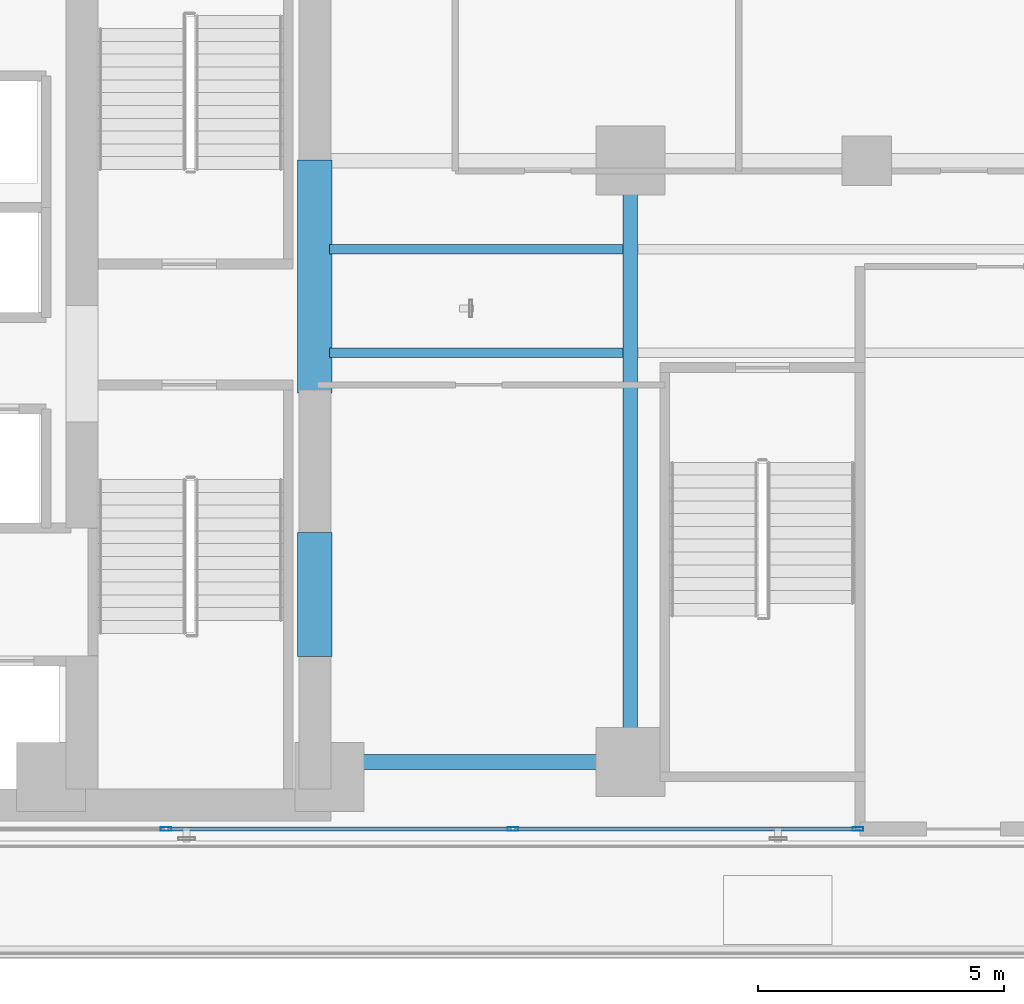
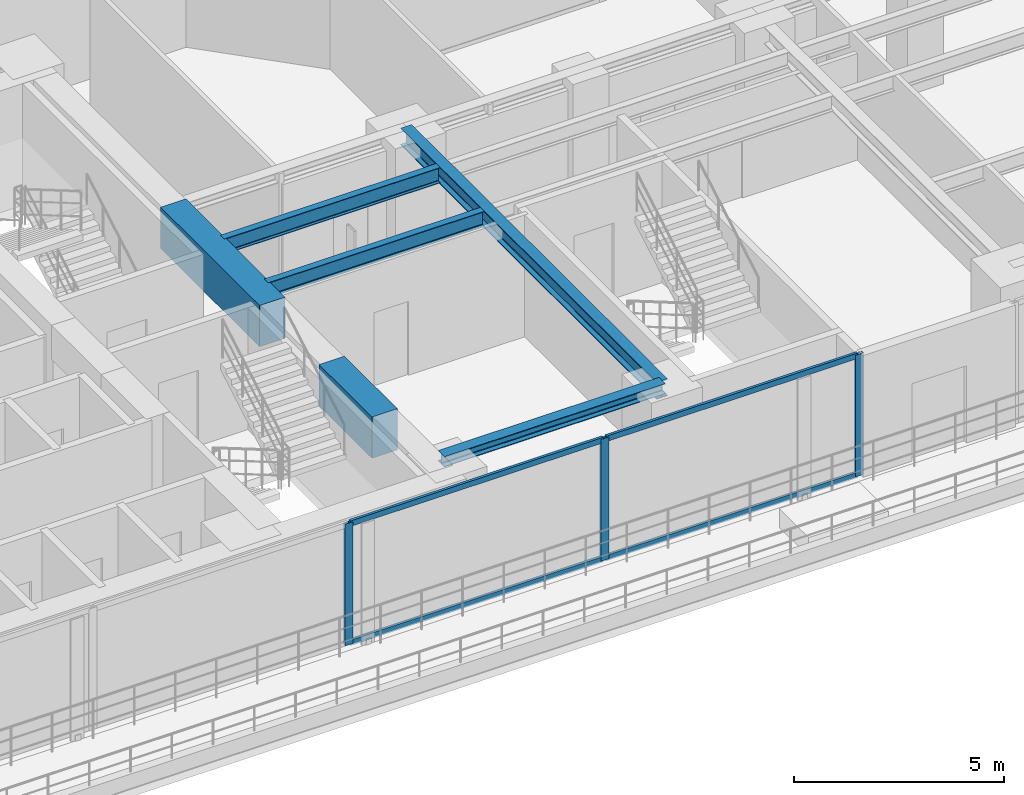
# One storey, part 4 of 26: 7 members, 6 beams, 1 element without a shape of its own.
"""IFC4 building model written with IfcOpenShell, lengths in metres."""

from ifc_helpers import new_model, si_unit, direction, frame, origin, origin_with_axes, origin_2d, place, context, subcontext, project, spatial, rectangle, hollow_rectangle, i_section, extrude, source, transform, mapped, material, layer, layer_set, material_profile, profile_set, type_object, element, aggregate, save


model = new_model("IFC4")

# Units and contexts
model_context = context("Model", 3, precision=1e-05, world=origin(), true_north=direction((0.0, 1.0)))
body_context = subcontext(model_context, "Body", "Model", "MODEL_VIEW")
ifc_project = project(units=[si_unit("LENGTHUNIT", "METRE"), si_unit("AREAUNIT", "SQUARE_METRE"), si_unit("VOLUMEUNIT", "CUBIC_METRE"), si_unit("PLANEANGLEUNIT", "RADIAN"), si_unit("MASSUNIT", "GRAM", prefix="KILO")], contexts=[model_context])

# Site, building, storey
site_placement = place(None, origin())
site = spatial("IfcSite", under=ifc_project, at=site_placement, CompositionType="ELEMENT")
building_placement = place(site_placement, origin())
building = spatial("IfcBuilding", under=site, at=building_placement, Name="Kolvaren Waterfront Exchange", CompositionType="ELEMENT")
storey_placement = place(building_placement, frame((0.0, 0.0, 87.89990234375)))
storey = spatial("IfcBuildingStorey", under=building, at=storey_placement, Name="L22", CompositionType="ELEMENT", Elevation=87.89990234375)

# Beams
ifc_material_1 = material(Name="Steel S355", Category="steel")
ifc_material_profile_1 = material_profile(ifc_material_1, i_section(OverallWidth=0.300048828125, OverallDepth=0.300048828125, WebThickness=0.010986328125, FlangeThickness=0.01904296875, FilletRadius=0.027099609375, at=origin_2d()), Name="HEB300")
ifc_profile_set_1 = profile_set([ifc_material_profile_1], Name="Steel S355")
beam_type_1 = type_object("IfcBeamType", Name="STR-BM-HEB300", PredefinedType="SPANDREL", material=ifc_profile_set_1)
beam_1_placement = place(storey_placement, frame((21.125, 5.199951171875, 3.39013671875), z_axis=(1.0, 0.0, 0.0), x_axis=(0.0, 1.0, 0.0)))
element("IfcBeam", 1, at=beam_1_placement, inside=storey, type_object=beam_type_1, Name="L22 east-arm spandrel S1", PredefinedType="SPANDREL", context=body_context, shape_type="SweptSolid", body=[
    extrude(i_section(OverallWidth=0.300048828125, OverallDepth=0.300048828125, WebThickness=0.010986328125, FlangeThickness=0.01904296875, FilletRadius=0.027099609375, at=origin_2d()), origin(), (0.0, 0.0, 1.0), 6.074951171875),
])
ifc_material_profile_2 = material_profile(ifc_material_1, i_section(OverallWidth=0.300048828125, OverallDepth=0.5, WebThickness=0.014404296875, FlangeThickness=0.028076171875, FilletRadius=0.027099609375, at=origin_2d()), Name="HEB500")
ifc_profile_set_2 = profile_set([ifc_material_profile_2], Name="Steel S355")
beam_type_2 = type_object("IfcBeamType", Name="STR-BM-HEB500", PredefinedType="BEAM", material=ifc_profile_set_2)
beam_2_placement = place(storey_placement, frame((27.199951171875, 5.199951171875, 3.2900390625), z_axis=(0.0, 1.0, 0.0), x_axis=(-1.0, 0.0, 0.0)))
element("IfcBeam", 2, at=beam_2_placement, inside=storey, type_object=beam_type_2, Name="L22 east-arm transverse girder X27", PredefinedType="BEAM", context=body_context, shape_type="SweptSolid", body=[
    extrude(i_section(OverallWidth=0.300048828125, OverallDepth=0.5, WebThickness=0.014404296875, FlangeThickness=0.028076171875, FilletRadius=0.027099609375, at=origin_2d()), origin(), (0.0, 0.0, 1.0), 12.199951171875),
])
ifc_material_profile_3 = material_profile(ifc_material_1, i_section(OverallWidth=0.18994140625, OverallDepth=0.449951171875, WebThickness=0.009521484375, FlangeThickness=0.0146484375, FilletRadius=0.02099609375, at=origin_2d()), Name="IPE450")
ifc_profile_set_3 = profile_set([ifc_material_profile_3], Name="Steel S355")
beam_type_3 = type_object("IfcBeamType", Name="STR-BM-IPE450", PredefinedType="JOIST", material=ifc_profile_set_3)
for number, where, z_axis, x_axis, name in (
    (3, (21.10009765625, 13.5, 3.315185546875), (1.0, 0.0, 0.0), (0.0, 1.0, 0.0), "L22 east-arm composite joist 1A"),
    (4, (21.10009765625, 15.60009765625, 3.315185546875), (1.0, 0.0, 0.0), (0.0, 1.0, 0.0), "L22 east-arm composite joist 1C"),
):
    element("IfcBeam", number, at=place(storey_placement, frame(where, z_axis=z_axis, x_axis=x_axis)), inside=storey, type_object=beam_type_3, Name=name, PredefinedType="JOIST", context=body_context, shape_type="SweptSolid", body=[
        extrude(i_section(OverallWidth=0.18994140625, OverallDepth=0.449951171875, WebThickness=0.009521484375, FlangeThickness=0.0146484375, FilletRadius=0.02099609375, at=origin_2d()), origin(), (0.0, 0.0, 1.0), 5.947998046875),
    ])
ifc_material_2 = material(Name="Concrete C70/85", Category="concrete")
ifc_material_profile_4 = material_profile(ifc_material_2, rectangle(XDim=0.699951171875, YDim=1.199951171875, at=origin_2d()), Name="RC-CB-1200x700")
ifc_profile_set_4 = profile_set([ifc_material_profile_4], Name="Concrete C70/85")
beam_type_4 = type_object("IfcBeamType", Name="STR-CB-1200", PredefinedType="SPANDREL", material=ifc_profile_set_4)
beam_3_placement = place(storey_placement, frame((20.800048828125, 7.340087890625, 2.940185546875), z_axis=(0.0, 1.0, 0.0), x_axis=(-1.0, 0.0, 0.0)))
element("IfcBeam", 5, at=beam_3_placement, inside=storey, type_object=beam_type_4, Name="L22 core coupling beam 1", PredefinedType="SPANDREL", context=body_context, shape_type="SweptSolid", body=[
    extrude(rectangle(XDim=0.699951171875, YDim=1.199951171875, at=origin_2d()), origin(), (0.0, 0.0, 1.0), 2.52001953125),
])
beam_4_placement = place(storey_placement, frame((20.800048828125, 12.68994140625, 2.940185546875), z_axis=(0.0, 1.0, 0.0), x_axis=(-1.0, 0.0, 0.0)))
element("IfcBeam", 6, at=beam_4_placement, inside=storey, type_object=beam_type_4, Name="L22 core coupling beam 2", PredefinedType="SPANDREL", context=body_context, shape_type="SweptSolid", body=[
    extrude(rectangle(XDim=0.699951171875, YDim=1.199951171875, at=origin_2d()), origin(), (0.0, 0.0, 1.0), 4.719970703125),
])

# Curtain wall, members
ifc_material_3 = material(Name="Anodised bronze aluminium 6063-T6", Category="aluminium")
ifc_layer = layer(ifc_material_3, 0.219970703125, Name="Anodised bronze aluminium 6063-T6")
ifc_layer_set = layer_set([ifc_layer], Name="Anodised bronze aluminium 6063-T6")
curtain_wall_type = type_object("IfcCurtainWallType", Name="ARC-CW-SYS1", PredefinedType="USERDEFINED", material=ifc_layer_set)
curtain_wall_placement = place(storey_placement, origin())
curtain_wall = element("IfcCurtainWall", 7, at=curtain_wall_placement, inside=storey, type_object=curtain_wall_type, Name="L22 stick curtain wall CW1 (CW-L22-S-1)", ObjectType="STICK CURTAIN WALL", PredefinedType="USERDEFINED")
ifc_material_4 = material(Name="Anodised aluminium 6063-T6", Category="aluminium")
ifc_material_profile_5 = material_profile(ifc_material_4, hollow_rectangle(XDim=0.080078125, YDim=0.219970703125, WallThickness=0.0048828125, at=origin_2d()), Name="ALU-MUL-220x80x5")
ifc_profile_set_5 = profile_set([ifc_material_profile_5], Name="Anodised aluminium 6063-T6")
member_type_1 = type_object("IfcMemberType", Name="ARC-CWM-220", PredefinedType="MULLION", material=ifc_profile_set_5)
shared_shape_1 = source(origin_with_axes(), body_context, "Body", "SweptSolid", [
    extrude(hollow_rectangle(XDim=0.080078125, YDim=0.219970703125, WallThickness=0.0048828125, at=origin_2d()), origin(), (0.0, 0.0, 1.0), 3.5400390625),
])
member_1_placement = place(storey_placement, frame((17.780029296875, 3.840087890625, 0.0), z_axis=(0.0, 0.0, 1.0), x_axis=(0.0, 1.0, 0.0)))
member_1 = element("IfcMember", 8, at=member_1_placement, type_object=member_type_1, Name="CW1 mullion 3", PredefinedType="MULLION", context=body_context, shape_type="MappedRepresentation", body=[
    mapped(shared_shape_1, transform((0.0, 0.0, 0.0), x_axis=(1.0, 0.0, 0.0), y_axis=(0.0, 1.0, 0.0), z_axis=(0.0, 0.0, 1.0), scale=1.0)),
])
member_2_placement = place(storey_placement, frame((24.820068359375, 3.840087890625, 0.0), z_axis=(0.0, 0.0, 1.0), x_axis=(0.0, 1.0, 0.0)))
member_2 = element("IfcMember", 9, at=member_2_placement, type_object=member_type_1, Name="CW1 mullion 4", PredefinedType="MULLION", context=body_context, shape_type="MappedRepresentation", body=[
    mapped(shared_shape_1, transform((0.0, 0.0, 0.0), x_axis=(1.0, 0.0, 0.0), y_axis=(0.0, 1.0, 0.0), z_axis=(0.0, 0.0, 1.0), scale=1.0)),
])
member_3_placement = place(storey_placement, frame((31.820068359375, 3.840087890625, 0.0), z_axis=(0.0, 0.0, 1.0), x_axis=(0.0, 1.0, 0.0)))
member_3 = element("IfcMember", 10, at=member_3_placement, type_object=member_type_1, Name="CW1 mullion 5", PredefinedType="MULLION", context=body_context, shape_type="MappedRepresentation", body=[
    mapped(shared_shape_1, transform((0.0, 0.0, 0.0), x_axis=(1.0, 0.0, 0.0), y_axis=(0.0, 1.0, 0.0), z_axis=(0.0, 0.0, 1.0), scale=1.0)),
])
ifc_material_profile_6 = material_profile(ifc_material_4, hollow_rectangle(XDim=0.074951171875, YDim=0.159912109375, WallThickness=0.00439453125, at=origin_2d()), Name="ALU-TRN-160x75x4.5")
ifc_profile_set_6 = profile_set([ifc_material_profile_6], Name="Anodised aluminium 6063-T6")
member_type_2 = type_object("IfcMemberType", Name="ARC-CWT-160", PredefinedType="USERDEFINED", material=ifc_profile_set_6)
shared_shape_2 = source(origin_with_axes(), body_context, "Body", "SweptSolid", [
    extrude(hollow_rectangle(XDim=0.074951171875, YDim=0.159912109375, WallThickness=0.00439453125, at=origin_2d()), origin(), (0.0, 0.0, 1.0), 6.919921875),
])
member_4_placement = place(storey_placement, frame((24.860107421875, 3.840087890625, 0.03759765625), z_axis=(1.0, 0.0, 0.0), x_axis=(0.0, 1.0, 0.0)))
member_4 = element("IfcMember", 11, at=member_4_placement, type_object=member_type_2, Name="CW1 transom 4.1", ObjectType="TRANSOM", PredefinedType="USERDEFINED", context=body_context, shape_type="MappedRepresentation", body=[
    mapped(shared_shape_2, transform((0.0, 0.0, 0.0), x_axis=(1.0, 0.0, 0.0), y_axis=(0.0, 1.0, 0.0), z_axis=(0.0, 0.0, 1.0), scale=1.0)),
])
member_5_placement = place(storey_placement, frame((24.860107421875, 3.840087890625, 3.502685546875), z_axis=(1.0, 0.0, 0.0), x_axis=(0.0, 1.0, 0.0)))
member_5 = element("IfcMember", 12, at=member_5_placement, type_object=member_type_2, Name="CW1 transom 4.2", ObjectType="TRANSOM", PredefinedType="USERDEFINED", context=body_context, shape_type="MappedRepresentation", body=[
    mapped(shared_shape_2, transform((0.0, 0.0, 0.0), x_axis=(1.0, 0.0, 0.0), y_axis=(0.0, 1.0, 0.0), z_axis=(0.0, 0.0, 1.0), scale=1.0)),
])
shared_shape_3 = source(origin_with_axes(), body_context, "Body", "SweptSolid", [
    extrude(hollow_rectangle(XDim=0.074951171875, YDim=0.159912109375, WallThickness=0.00439453125, at=origin_2d()), origin(), (0.0, 0.0, 1.0), 6.9599609375),
])
member_6_placement = place(storey_placement, frame((17.820068359375, 3.840087890625, 0.03759765625), z_axis=(1.0, 0.0, 0.0), x_axis=(0.0, 1.0, 0.0)))
member_6 = element("IfcMember", 13, at=member_6_placement, type_object=member_type_2, Name="CW1 transom 3.1", ObjectType="TRANSOM", PredefinedType="USERDEFINED", context=body_context, shape_type="MappedRepresentation", body=[
    mapped(shared_shape_3, transform((0.0, 0.0, 0.0), x_axis=(1.0, 0.0, 0.0), y_axis=(0.0, 1.0, 0.0), z_axis=(0.0, 0.0, 1.0), scale=1.0)),
])
member_7_placement = place(storey_placement, frame((17.820068359375, 3.840087890625, 3.502685546875), z_axis=(1.0, 0.0, 0.0), x_axis=(0.0, 1.0, 0.0)))
member_7 = element("IfcMember", 14, at=member_7_placement, type_object=member_type_2, Name="CW1 transom 3.2", ObjectType="TRANSOM", PredefinedType="USERDEFINED", context=body_context, shape_type="MappedRepresentation", body=[
    mapped(shared_shape_3, transform((0.0, 0.0, 0.0), x_axis=(1.0, 0.0, 0.0), y_axis=(0.0, 1.0, 0.0), z_axis=(0.0, 0.0, 1.0), scale=1.0)),
])
aggregate(curtain_wall, [member_1, member_2, member_3, member_6, member_7, member_4, member_5])

save(model, "model.ifc")
